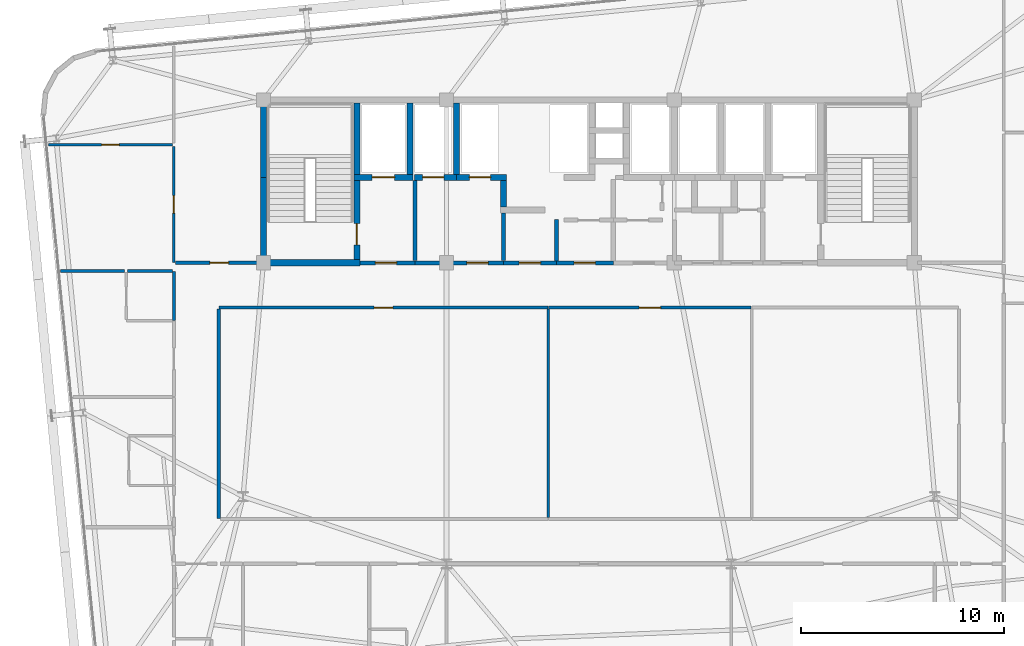
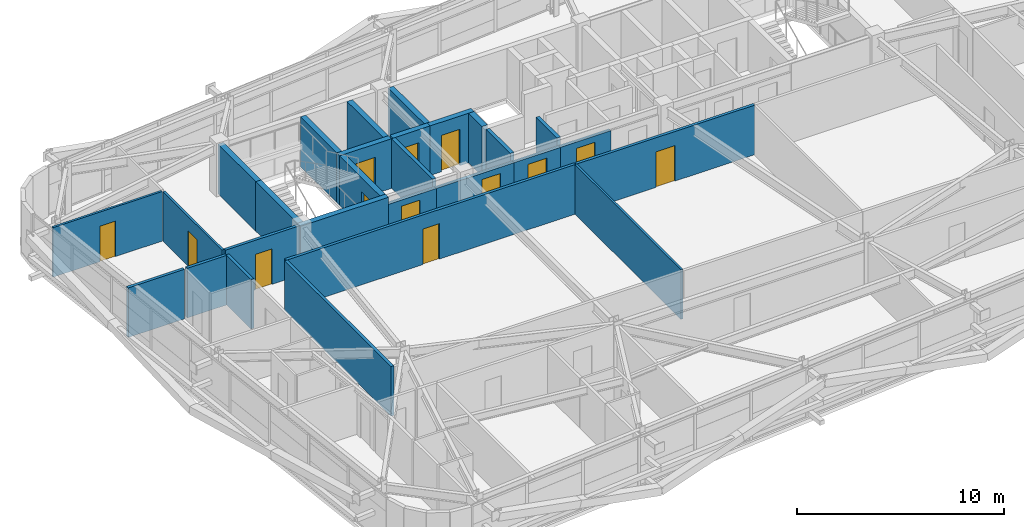
# One storey, part 47 of 53: 28 walls, 13 doors, 13 openings.
"""IFC4 building model written with IfcOpenShell, lengths in metres."""

from ifc_helpers import new_model, si_unit, direction, frame, frame_2d, origin, place, context, subcontext, project, spatial, rectangle, extrude, source, transform, mapped, material, layer, layer_set, type_object, element, fill, save


model = new_model("IFC4")

# Units and contexts
model_context = context("Model", 3, precision=1e-05, world=origin(), true_north=direction((0.0, 1.0)))
body_context = subcontext(model_context, "Body", "Model", "MODEL_VIEW")
ifc_project = project(units=[si_unit("LENGTHUNIT", "METRE"), si_unit("AREAUNIT", "SQUARE_METRE"), si_unit("VOLUMEUNIT", "CUBIC_METRE"), si_unit("PLANEANGLEUNIT", "RADIAN"), si_unit("MASSUNIT", "GRAM", prefix="KILO")], contexts=[model_context])

# Site, building, storey
site_placement = place(None, origin())
site = spatial("IfcSite", under=ifc_project, at=site_placement, CompositionType="ELEMENT")
building_placement = place(site_placement, origin())
building = spatial("IfcBuilding", under=site, at=building_placement, Name="Taldren Reach Tower", CompositionType="ELEMENT")
storey_placement = place(building_placement, frame((0.0, 0.0, 84.0)))
storey = spatial("IfcBuildingStorey", under=building, at=storey_placement, Name="L25", CompositionType="ELEMENT", Elevation=84.0)

# Wall, opening, door
ifc_material_1 = material(Name="Concrete S50 (50 MPa)", Category="concrete")
ifc_layer_1 = layer(ifc_material_1, 0.199951171875)
ifc_layer_set_1 = layer_set([ifc_layer_1], Name="Concrete S50 (50 MPa)")
wall_type_1 = type_object("IfcWallType", Name="IW-CORE-200", PredefinedType="SOLIDWALL", material=ifc_layer_set_1)
shared_shape_1 = source(origin(), body_context, "Body", "SweptSolid", [
    extrude(rectangle(XDim=4.35009765625, YDim=0.199951171875, at=frame_2d((2.175048828125, 0.0))), origin(), (0.0, 0.0, 1.0), 2.469970703125),
])
wall_1_placement = place(storey_placement, frame((30.800048828125, 24.0, 0.0), z_axis=(0.0, 0.0, 1.0), x_axis=(-1.0, 0.0, 0.0)))
wall_1 = element("IfcWall", 1, at=wall_1_placement, inside=storey, type_object=wall_type_1, Name="Rear Core Shear Wall W-INT-L25-034", PredefinedType="SOLIDWALL", context=body_context, shape_type="MappedRepresentation", body=[
    mapped(shared_shape_1, transform((0.0, 0.0, 0.0), scale=1.0)),
])
shared_shape_2 = source(origin(), body_context, "Body", "SweptSolid", [
    extrude(rectangle(XDim=1.050048828125, YDim=2.10009765625, at=frame_2d((0.52490234375, 1.050048828125))), frame((0.0, 0.10986328125, 0.0), z_axis=(0.0, -1.0, 0.0), x_axis=(1.0, 0.0, 0.0)), (0.0, 0.0, 1.0), 0.219970703125),
])
opening_1_placement = place(wall_1_placement, frame((0.75, 0.0, 0.0)))
opening_1 = element("IfcOpeningElement", 2, at=opening_1_placement, cuts=wall_1, Name="Opening DF-105", PredefinedType="OPENING", context=body_context, shape_type="MappedRepresentation", body=[
    mapped(shared_shape_2, transform((0.0, 0.0, 0.0), scale=1.0)),
])
ifc_material_2 = material(Name="Fire-Rated Care and Stair Exit Door")
door_type_1 = type_object("IfcDoorType", Name="ID-FIRE-105", OperationType="NOTDEFINED", PredefinedType="DOOR", material=ifc_material_2)
shared_shape_3 = source(origin(), body_context, "Body", "SweptSolid", [
    extrude(rectangle(XDim=1.050048828125, YDim=2.10009765625, at=frame_2d((0.52490234375, 1.050048828125))), frame((0.0, 0.02490234375, 0.0), z_axis=(0.0, -1.0, 0.0), x_axis=(1.0, 0.0, 0.0)), (0.0, 0.0, 1.0), 0.050048828125),
])
door_1_placement = place(opening_1_placement, frame((1.050048828125, 0.0, 0.0), z_axis=(0.0, 0.0, 1.0), x_axis=(-1.0, 0.0, 0.0)))
door_1 = element("IfcDoor", 3, at=door_1_placement, inside=storey, type_object=door_type_1, Name="Interior Door DR-L25-005", OperationType="SINGLE_SWING_RIGHT", OverallHeight=2.10009765625, OverallWidth=1.050048828125, PredefinedType="DOOR", context=body_context, shape_type="MappedRepresentation", body=[
    mapped(shared_shape_3, transform((0.0, 0.0, 0.0), scale=1.0)),
])
fill(opening_1, door_1)

# Walls
ifc_material_3 = material(Name="Fire-Rated Acoustic Plasterboard Stud Wall", Category="gypsum")
ifc_layer_2 = layer(ifc_material_3, 0.159912109375)
ifc_layer_set_2 = layer_set([ifc_layer_2], Name="Fire-Rated Acoustic Plasterboard Stud Wall")
wall_type_2 = type_object("IfcWallType", Name="IW-FIRE-160", PredefinedType="PARTITIONING", material=ifc_layer_set_2)
shared_shape_4 = source(origin(), body_context, "Body", "SweptSolid", [
    extrude(rectangle(XDim=10.2998046875, YDim=0.159912109375, at=frame_2d((5.14990234375, 0.0))), origin(), (0.0, 0.0, 1.0), 2.929931640625),
])
wall_2_placement = place(storey_placement, frame((16.800048828125, 21.719970703125, 0.0), z_axis=(0.0, 0.0, 1.0), x_axis=(0.0, -1.0, 0.0)))
element("IfcWall", 4, at=wall_2_placement, inside=storey, type_object=wall_type_2, Name="Interior Partition Wall W-INT-L25-061", PredefinedType="PARTITIONING", context=body_context, shape_type="MappedRepresentation", body=[
    mapped(shared_shape_4, transform((0.0, 0.0, 0.0), scale=1.0)),
])
shared_shape_5 = source(origin(), body_context, "Body", "SweptSolid", [
    extrude(rectangle(XDim=2.02001953125, YDim=0.199951171875, at=frame_2d((1.010009765625, 0.0))), origin(), (0.0, 0.0, 1.0), 2.929931640625),
])
wall_3_placement = place(storey_placement, frame((33.39990234375, 26.1201171875, 0.0), z_axis=(0.0, 0.0, 1.0), x_axis=(0.0, -1.0, 0.0)))
element("IfcWall", 5, at=wall_3_placement, inside=storey, type_object=wall_type_1, Name="Rear Core Shear Wall W-INT-L25-044", PredefinedType="SOLIDWALL", context=body_context, shape_type="MappedRepresentation", body=[
    mapped(shared_shape_5, transform((0.0, 0.0, 0.0), scale=1.0)),
])

# Wall, opening, door
shared_shape_6 = source(origin(), body_context, "Body", "SweptSolid", [
    extrude(rectangle(XDim=2.599853515625, YDim=0.199951171875, at=frame_2d((1.2998046875, 0.0))), origin(), (0.0, 0.0, 1.0), 2.469970703125),
])
wall_4_placement = place(storey_placement, frame((33.39990234375, 24.0, 0.0), z_axis=(0.0, 0.0, 1.0), x_axis=(-1.0, 0.0, 0.0)))
wall_4 = element("IfcWall", 6, at=wall_4_placement, inside=storey, type_object=wall_type_1, Name="Rear Core Shear Wall W-INT-L25-045", PredefinedType="SOLIDWALL", context=body_context, shape_type="MappedRepresentation", body=[
    mapped(shared_shape_6, transform((0.0, 0.0, 0.0), scale=1.0)),
])
opening_2_placement = place(wall_4_placement, frame((0.77490234375, 0.0, 0.0)))
opening_2 = element("IfcOpeningElement", 7, at=opening_2_placement, cuts=wall_4, Name="Opening DF-105", PredefinedType="OPENING", context=body_context, shape_type="MappedRepresentation", body=[
    mapped(shared_shape_2, transform((0.0, 0.0, 0.0), scale=1.0)),
])
door_2_placement = place(opening_2_placement, frame((1.050048828125, 0.0, 0.0), z_axis=(0.0, 0.0, 1.0), x_axis=(-1.0, 0.0, 0.0)))
door_2 = element("IfcDoor", 8, at=door_2_placement, inside=storey, type_object=door_type_1, Name="Interior Door DR-L25-006", OperationType="SINGLE_SWING_RIGHT", OverallHeight=2.10009765625, OverallWidth=1.050048828125, PredefinedType="DOOR", context=body_context, shape_type="MappedRepresentation", body=[
    mapped(shared_shape_3, transform((0.0, 0.0, 0.0), scale=1.0)),
])
fill(opening_2, door_2)

shared_shape_7 = source(origin(), body_context, "Body", "SweptSolid", [
    extrude(rectangle(XDim=2.800048828125, YDim=0.199951171875, at=frame_2d((1.39990234375, 0.0))), origin(), (0.0, 0.0, 1.0), 2.469970703125),
])
wall_5_placement = place(storey_placement, frame((36.199951171875, 24.0, 0.0), z_axis=(0.0, 0.0, 1.0), x_axis=(-1.0, 0.0, 0.0)))
wall_5 = element("IfcWall", 9, at=wall_5_placement, inside=storey, type_object=wall_type_1, Name="Rear Core Shear Wall W-INT-L25-048", PredefinedType="SOLIDWALL", context=body_context, shape_type="MappedRepresentation", body=[
    mapped(shared_shape_7, transform((0.0, 0.0, 0.0), scale=1.0)),
])
opening_3_placement = place(wall_5_placement, frame((0.875, 0.0, 0.0)))
opening_3 = element("IfcOpeningElement", 10, at=opening_3_placement, cuts=wall_5, Name="Opening DF-105", PredefinedType="OPENING", context=body_context, shape_type="MappedRepresentation", body=[
    mapped(shared_shape_2, transform((0.0, 0.0, 0.0), scale=1.0)),
])
door_3_placement = place(opening_3_placement, frame((1.050048828125, 0.0, 0.0), z_axis=(0.0, 0.0, 1.0), x_axis=(-1.0, 0.0, 0.0)))
door_3 = element("IfcDoor", 11, at=door_3_placement, inside=storey, type_object=door_type_1, Name="Interior Door DR-L25-008", OperationType="SINGLE_SWING_RIGHT", OverallHeight=2.10009765625, OverallWidth=1.050048828125, PredefinedType="DOOR", context=body_context, shape_type="MappedRepresentation", body=[
    mapped(shared_shape_3, transform((0.0, 0.0, 0.0), scale=1.0)),
])
fill(opening_3, door_3)

shared_shape_8 = source(origin(), body_context, "Body", "SweptSolid", [
    extrude(rectangle(XDim=9.95947265625, YDim=0.159912109375, at=frame_2d((4.979736328125, 0.0))), origin(), (0.0, 0.0, 1.0), 2.929931640625),
])
wall_6_placement = place(storey_placement, frame((42.979736328125, 21.800048828125, 0.0), z_axis=(0.0, 0.0, 1.0), x_axis=(-1.0, 0.0, 0.0)))
wall_6 = element("IfcWall", 12, at=wall_6_placement, inside=storey, type_object=wall_type_2, Name="Interior Partition Wall W-INT-L25-062", PredefinedType="PARTITIONING", context=body_context, shape_type="MappedRepresentation", body=[
    mapped(shared_shape_8, transform((0.0, 0.0, 0.0), scale=1.0)),
])
shared_shape_9 = source(origin(), body_context, "Body", "SweptSolid", [
    extrude(rectangle(XDim=1.050048828125, YDim=2.10009765625, at=frame_2d((0.52490234375, 1.050048828125))), frame((0.0, 0.08984375, 0.0), z_axis=(0.0, -1.0, 0.0), x_axis=(1.0, 0.0, 0.0)), (0.0, 0.0, 1.0), 0.179931640625),
])
opening_4_placement = place(wall_6_placement, frame((4.454833984375, 0.0, 0.0)))
opening_4 = element("IfcOpeningElement", 13, at=opening_4_placement, cuts=wall_6, Name="Opening DF-105", PredefinedType="OPENING", context=body_context, shape_type="MappedRepresentation", body=[
    mapped(shared_shape_9, transform((0.0, 0.0, 0.0), scale=1.0)),
])
door_4_placement = place(opening_4_placement, origin())
door_4 = element("IfcDoor", 14, at=door_4_placement, inside=storey, type_object=door_type_1, Name="Interior Door DR-L25-015", OperationType="SINGLE_SWING_RIGHT", OverallHeight=2.10009765625, OverallWidth=1.050048828125, PredefinedType="DOOR", context=body_context, shape_type="MappedRepresentation", body=[
    mapped(shared_shape_3, transform((0.0, 0.0, 0.0), scale=1.0)),
])
fill(opening_4, door_4)

# Wall
ifc_material_4 = material(Name="Insulated Residential Stud Partition", Category="gypsum")
ifc_layer_3 = layer(ifc_material_4, 0.1201171875)
ifc_layer_set_3 = layer_set([ifc_layer_3], Name="Insulated Residential Stud Partition")
wall_type_3 = type_object("IfcWallType", Name="IW-PART-120", PredefinedType="PARTITIONING", material=ifc_layer_set_3)
shared_shape_10 = source(origin(), body_context, "Body", "SweptSolid", [
    extrude(rectangle(XDim=10.239990234375, YDim=0.1201171875, at=frame_2d((5.1201171875, 0.0))), origin(), (0.0, 0.0, 1.0), 2.929931640625),
])
wall_7_placement = place(storey_placement, frame((33.0, 21.719970703125, 0.0), z_axis=(0.0, 0.0, 1.0), x_axis=(0.0, -1.0, 0.0)))
element("IfcWall", 15, at=wall_7_placement, inside=storey, type_object=wall_type_3, Name="Interior Partition Wall W-INT-L25-086", PredefinedType="PARTITIONING", context=body_context, shape_type="MappedRepresentation", body=[
    mapped(shared_shape_10, transform((0.0, 0.0, 0.0), scale=1.0)),
])

# Wall, opening, door
shared_shape_11 = source(origin(), body_context, "Body", "SweptSolid", [
    extrude(rectangle(XDim=16.159423828125, YDim=0.159912109375, at=frame_2d((8.07958984375, 0.0))), origin(), (0.0, 0.0, 1.0), 2.929931640625),
])
wall_8_placement = place(storey_placement, frame((32.979736328125, 21.800048828125, 0.0), z_axis=(0.0, 0.0, 1.0), x_axis=(-1.0, 0.0, 0.0)))
wall_8 = element("IfcWall", 16, at=wall_8_placement, inside=storey, type_object=wall_type_2, Name="Interior Partition Wall W-INT-L25-060", PredefinedType="PARTITIONING", context=body_context, shape_type="MappedRepresentation", body=[
    mapped(shared_shape_11, transform((0.0, 0.0, 0.0), scale=1.0)),
])
shared_shape_12 = source(origin(), body_context, "Body", "SweptSolid", [
    extrude(rectangle(XDim=0.919921875, YDim=2.10009765625, at=frame_2d((0.4599609375, 1.050048828125))), frame((0.0, 0.08984375, 0.0), z_axis=(0.0, -1.0, 0.0), x_axis=(1.0, 0.0, 0.0)), (0.0, 0.0, 1.0), 0.179931640625),
])
opening_5_placement = place(wall_8_placement, frame((7.619873046875, 0.0, 0.0)))
opening_5 = element("IfcOpeningElement", 17, at=opening_5_placement, cuts=wall_8, Name="Opening DI-092", PredefinedType="OPENING", context=body_context, shape_type="MappedRepresentation", body=[
    mapped(shared_shape_12, transform((0.0, 0.0, 0.0), scale=1.0)),
])
ifc_material_5 = material(Name="Solid-Core Timber Suite Door", Category="wood")
door_type_2 = type_object("IfcDoorType", Name="ID-INT-092", OperationType="NOTDEFINED", PredefinedType="DOOR", material=ifc_material_5)
shared_shape_13 = source(origin(), body_context, "Body", "SweptSolid", [
    extrude(rectangle(XDim=0.919921875, YDim=2.10009765625, at=frame_2d((0.4599609375, 1.050048828125))), frame((0.0, 0.02490234375, 0.0), z_axis=(0.0, -1.0, 0.0), x_axis=(1.0, 0.0, 0.0)), (0.0, 0.0, 1.0), 0.050048828125),
])
door_5_placement = place(opening_5_placement, origin())
door_5 = element("IfcDoor", 18, at=door_5_placement, inside=storey, type_object=door_type_2, Name="Interior Door DR-L25-014", OperationType="SINGLE_SWING_LEFT", OverallHeight=2.10009765625, OverallWidth=0.919921875, PredefinedType="DOOR", context=body_context, shape_type="MappedRepresentation", body=[
    mapped(shared_shape_13, transform((0.0, 0.0, 0.0), scale=1.0)),
])
fill(opening_5, door_5)

# Walls
ifc_material_6 = material(Name="Concrete S65 (65 MPa)", Category="concrete")
ifc_layer_4 = layer(ifc_material_6, 0.300048828125)
ifc_layer_set_4 = layer_set([ifc_layer_4], Name="Concrete S65 (65 MPa)")
wall_type_4 = type_object("IfcWallType", Name="IW-CORE-300", PredefinedType="SHEAR", material=ifc_layer_set_4)
shared_shape_14 = source(origin(), body_context, "Body", "SweptSolid", [
    extrude(rectangle(XDim=4.050048828125, YDim=0.300048828125, at=frame_2d((2.02490234375, 0.0))), origin(), (0.0, 0.0, 1.0), 2.929931640625),
])
wall_9_placement = place(storey_placement, frame((19.0, 24.14990234375, 0.0), z_axis=(0.0, 0.0, 1.0), x_axis=(0.0, 1.0, 0.0)))
element("IfcWall", 19, at=wall_9_placement, inside=storey, type_object=wall_type_4, Name="Rear Core Shear Wall W-CORE-L25-WEST1", PredefinedType="SHEAR", context=body_context, shape_type="MappedRepresentation", body=[
    mapped(shared_shape_14, transform((0.0, 0.0, 0.0), scale=1.0)),
])
shared_shape_15 = source(origin(), body_context, "Body", "SweptSolid", [
    extrude(rectangle(XDim=3.650146484375, YDim=0.300048828125, at=frame_2d((1.8251953125, 0.0))), origin(), (0.0, 0.0, 1.0), 2.929931640625),
])
wall_10_placement = place(storey_placement, frame((19.0, 28.199951171875, 0.0), z_axis=(0.0, 0.0, 1.0), x_axis=(0.0, 1.0, 0.0)))
element("IfcWall", 20, at=wall_10_placement, inside=storey, type_object=wall_type_4, Name="Rear Core Shear Wall W-CORE-L25-WEST2", PredefinedType="SHEAR", context=body_context, shape_type="MappedRepresentation", body=[
    mapped(shared_shape_15, transform((0.0, 0.0, 0.0), scale=1.0)),
])
shared_shape_16 = source(origin(), body_context, "Body", "SweptSolid", [
    extrude(rectangle(XDim=3.5, YDim=0.300048828125, at=frame_2d((1.75, 0.0))), origin(), (0.0, 0.0, 1.0), 2.929931640625),
])
for number, where, z_axis, x_axis, name in (
    (21, (23.60009765625, 28.35009765625, 0.0), (0.0, 0.0, 1.0), (0.0, 1.0, 0.0), "Rear Core Shear Wall W-INT-L25-001"),
    (22, (26.199951171875, 28.35009765625, 0.0), (0.0, 0.0, 1.0), (0.0, 1.0, 0.0), "Rear Core Shear Wall W-INT-L25-005"),
    (23, (28.5, 28.35009765625, 0.0), (0.0, 0.0, 1.0), (0.0, 1.0, 0.0), "Rear Core Shear Wall W-INT-L25-030"),
):
    element("IfcWall", number, at=place(storey_placement, frame(where, z_axis=z_axis, x_axis=x_axis)), inside=storey, type_object=wall_type_4, Name=name, PredefinedType="SHEAR", context=body_context, shape_type="MappedRepresentation", body=[
        mapped(shared_shape_16, transform((0.0, 0.0, 0.0), scale=1.0)),
    ])

# Wall, opening, door
shared_shape_17 = source(origin(), body_context, "Body", "SweptSolid", [
    extrude(rectangle(XDim=3.900146484375, YDim=0.300048828125, at=frame_2d((1.9501953125, 0.0))), origin(), (0.0, 0.0, 1.0), 2.929931640625),
])
wall_11_placement = place(storey_placement, frame((23.60009765625, 24.14990234375, 0.0), z_axis=(0.0, 0.0, 1.0), x_axis=(0.0, 1.0, 0.0)))
wall_11 = element("IfcWall", 24, at=wall_11_placement, inside=storey, type_object=wall_type_4, Name="Rear Core Shear Wall W-INT-L25-002", PredefinedType="SHEAR", context=body_context, shape_type="MappedRepresentation", body=[
    mapped(shared_shape_17, transform((0.0, 0.0, 0.0), scale=1.0)),
])
shared_shape_18 = source(origin(), body_context, "Body", "SweptSolid", [
    extrude(rectangle(XDim=1.050048828125, YDim=2.10009765625, at=frame_2d((0.52490234375, 1.050048828125))), frame((0.0, 0.16015625, 0.0), z_axis=(0.0, -1.0, 0.0), x_axis=(1.0, 0.0, 0.0)), (0.0, 0.0, 1.0), 0.320068359375),
])
opening_6_placement = place(wall_11_placement, frame((0.72509765625, 0.0, 0.0)))
opening_6 = element("IfcOpeningElement", 25, at=opening_6_placement, cuts=wall_11, Name="Opening DF-105", PredefinedType="OPENING", context=body_context, shape_type="MappedRepresentation", body=[
    mapped(shared_shape_18, transform((0.0, 0.0, 0.0), scale=1.0)),
])
door_6_placement = place(opening_6_placement, origin())
door_6 = element("IfcDoor", 26, at=door_6_placement, inside=storey, type_object=door_type_1, Name="Fire Exit Stair Door DR-L25-001", OperationType="SINGLE_SWING_LEFT", OverallHeight=2.10009765625, OverallWidth=1.050048828125, PredefinedType="DOOR", context=body_context, shape_type="MappedRepresentation", body=[
    mapped(shared_shape_3, transform((0.0, 0.0, 0.0), scale=1.0)),
])
fill(opening_6, door_6)

# Wall
shared_shape_19 = source(origin(), body_context, "Body", "SweptSolid", [
    extrude(rectangle(XDim=4.89990234375, YDim=0.300048828125, at=frame_2d((2.449951171875, 0.0))), origin(), (0.0, 0.0, 1.0), 2.929931640625),
])
wall_12_placement = place(storey_placement, frame((18.85009765625, 24.0, 0.0), z_axis=(0.0, 0.0, 1.0), x_axis=(1.0, 0.0, 0.0)))
element("IfcWall", 27, at=wall_12_placement, inside=storey, type_object=wall_type_4, Name="Rear Core Shear Wall W-INT-L25-003", PredefinedType="SHEAR", context=body_context, shape_type="MappedRepresentation", body=[
    mapped(shared_shape_19, transform((0.0, 0.0, 0.0), scale=1.0)),
])

# Wall, opening, door
shared_shape_20 = source(origin(), body_context, "Body", "SweptSolid", [
    extrude(rectangle(XDim=2.900146484375, YDim=0.300048828125, at=frame_2d((1.4501953125, 0.0))), origin(), (0.0, 0.0, 1.0), 2.929931640625),
])
wall_13_placement = place(storey_placement, frame((23.449951171875, 28.199951171875, 0.0), z_axis=(0.0, 0.0, 1.0), x_axis=(1.0, 0.0, 0.0)))
wall_13 = element("IfcWall", 28, at=wall_13_placement, inside=storey, type_object=wall_type_4, Name="Rear Core Shear Wall W-INT-L25-004", PredefinedType="SHEAR", context=body_context, shape_type="MappedRepresentation", body=[
    mapped(shared_shape_20, transform((0.0, 0.0, 0.0), scale=1.0)),
])
shared_shape_21 = source(origin(), body_context, "Body", "SweptSolid", [
    extrude(rectangle(XDim=1.10009765625, YDim=2.14990234375, at=frame_2d((0.550048828125, 1.074951171875))), frame((0.0, 0.16015625, 0.0), z_axis=(0.0, -1.0, 0.0), x_axis=(1.0, 0.0, 0.0)), (0.0, 0.0, 1.0), 0.320068359375),
])
opening_7_placement = place(wall_13_placement, frame((0.89990234375, 0.0, 0.0)))
opening_7 = element("IfcOpeningElement", 29, at=opening_7_placement, cuts=wall_13, Name="Opening LD-FL1", PredefinedType="OPENING", context=body_context, shape_type="MappedRepresentation", body=[
    mapped(shared_shape_21, transform((0.0, 0.0, 0.0), scale=1.0)),
])
ifc_material_7 = material(Name="Stainless Steel Gr 316 Emergency Lift Landing Door", Category="steel")
door_type_3 = type_object("IfcDoorType", Name="LD-EMG-110", OperationType="SLIDING_TO_LEFT", PredefinedType="DOOR", material=ifc_material_7)
shared_shape_22 = source(origin(), body_context, "Body", "SweptSolid", [
    extrude(rectangle(XDim=1.10009765625, YDim=2.14990234375, at=frame_2d((0.550048828125, 1.074951171875))), frame((0.0, 0.02490234375, 0.0), z_axis=(0.0, -1.0, 0.0), x_axis=(1.0, 0.0, 0.0)), (0.0, 0.0, 1.0), 0.050048828125),
])
door_7_placement = place(opening_7_placement, origin())
door_7 = element("IfcDoor", 30, at=door_7_placement, inside=storey, type_object=door_type_3, Name="Lift Landing Door LD-FL1-L25", OperationType="SLIDING_TO_LEFT", OverallHeight=2.14990234375, OverallWidth=1.10009765625, PredefinedType="DOOR", context=body_context, shape_type="MappedRepresentation", body=[
    mapped(shared_shape_22, transform((0.0, 0.0, 0.0), scale=1.0)),
])
fill(opening_7, door_7)

# Wall
shared_shape_23 = source(origin(), body_context, "Body", "SweptSolid", [
    extrude(rectangle(XDim=3.949951171875, YDim=0.199951171875, at=frame_2d((1.97509765625, 0.0))), origin(), (0.0, 0.0, 1.0), 2.929931640625),
])
wall_14_placement = place(storey_placement, frame((26.449951171875, 24.10009765625, 0.0), z_axis=(0.0, 0.0, 1.0), x_axis=(0.0, 1.0, 0.0)))
element("IfcWall", 31, at=wall_14_placement, inside=storey, type_object=wall_type_1, Name="Rear Core Shear Wall W-INT-L25-006", PredefinedType="SOLIDWALL", context=body_context, shape_type="MappedRepresentation", body=[
    mapped(shared_shape_23, transform((0.0, 0.0, 0.0), scale=1.0)),
])

# Wall, opening, door
shared_shape_24 = source(origin(), body_context, "Body", "SweptSolid", [
    extrude(rectangle(XDim=2.699951171875, YDim=0.199951171875, at=frame_2d((1.35009765625, 0.0))), origin(), (0.0, 0.0, 1.0), 2.469970703125),
])
wall_15_placement = place(storey_placement, frame((23.75, 24.0, 0.0), z_axis=(0.0, 0.0, 1.0), x_axis=(1.0, 0.0, 0.0)))
wall_15 = element("IfcWall", 32, at=wall_15_placement, inside=storey, type_object=wall_type_1, Name="Rear Core Shear Wall W-INT-L25-007", PredefinedType="SOLIDWALL", context=body_context, shape_type="MappedRepresentation", body=[
    mapped(shared_shape_24, transform((0.0, 0.0, 0.0), scale=1.0)),
])
opening_8_placement = place(wall_15_placement, frame((0.75, 0.0, 0.0)))
opening_8 = element("IfcOpeningElement", 33, at=opening_8_placement, cuts=wall_15, Name="Opening DF-105", PredefinedType="OPENING", context=body_context, shape_type="MappedRepresentation", body=[
    mapped(shared_shape_2, transform((0.0, 0.0, 0.0), scale=1.0)),
])
door_8_placement = place(opening_8_placement, origin())
door_8 = element("IfcDoor", 34, at=door_8_placement, inside=storey, type_object=door_type_1, Name="Interior Door DR-L25-002", OperationType="SINGLE_SWING_LEFT", OverallHeight=2.10009765625, OverallWidth=1.050048828125, PredefinedType="DOOR", context=body_context, shape_type="MappedRepresentation", body=[
    mapped(shared_shape_3, transform((0.0, 0.0, 0.0), scale=1.0)),
])
fill(opening_8, door_8)

# Wall
shared_shape_25 = source(origin(), body_context, "Body", "SweptSolid", [
    extrude(rectangle(XDim=1.300048828125, YDim=0.300048828125, at=frame_2d((0.64990234375, 0.0))), origin(), (0.0, 0.0, 1.0), 2.929931640625),
])
wall_16_placement = place(storey_placement, frame((30.800048828125, 28.050048828125, 0.0), z_axis=(0.0, 0.0, 1.0), x_axis=(0.0, -1.0, 0.0)))
element("IfcWall", 35, at=wall_16_placement, inside=storey, type_object=wall_type_4, Name="Rear Core Shear Wall W-INT-L25-022", PredefinedType="SHEAR", context=body_context, shape_type="MappedRepresentation", body=[
    mapped(shared_shape_25, transform((0.0, 0.0, 0.0), scale=1.0)),
])

# Wall, opening, door
shared_shape_26 = source(origin(), body_context, "Body", "SweptSolid", [
    extrude(rectangle(XDim=2.070068359375, YDim=0.300048828125, at=frame_2d((1.03515625, 0.0))), origin(), (0.0, 0.0, 1.0), 2.929931640625),
])
wall_17_placement = place(storey_placement, frame((26.429931640625, 28.199951171875, 0.0), z_axis=(0.0, 0.0, 1.0), x_axis=(1.0, 0.0, 0.0)))
wall_17 = element("IfcWall", 36, at=wall_17_placement, inside=storey, type_object=wall_type_4, Name="Rear Core Shear Wall W-INT-L25-031", PredefinedType="SHEAR", context=body_context, shape_type="MappedRepresentation", body=[
    mapped(shared_shape_26, transform((0.0, 0.0, 0.0), scale=1.0)),
])
shared_shape_27 = source(origin(), body_context, "Body", "SweptSolid", [
    extrude(rectangle(XDim=1.050048828125, YDim=2.14990234375, at=frame_2d((0.52490234375, 1.074951171875))), frame((0.0, 0.16015625, 0.0), z_axis=(0.0, -1.0, 0.0), x_axis=(1.0, 0.0, 0.0)), (0.0, 0.0, 1.0), 0.320068359375),
])
opening_9_placement = place(wall_17_placement, frame((0.39501953125, 0.0, 0.0)))
opening_9 = element("IfcOpeningElement", 37, at=opening_9_placement, cuts=wall_17, Name="Opening LD-PL1", PredefinedType="OPENING", context=body_context, shape_type="MappedRepresentation", body=[
    mapped(shared_shape_27, transform((0.0, 0.0, 0.0), scale=1.0)),
])
ifc_material_8 = material(Name="Stainless Steel Gr 316 Passenger Lift Landing Door", Category="steel")
door_type_4 = type_object("IfcDoorType", Name="LD-PAS-105", OperationType="SLIDING_TO_LEFT", PredefinedType="DOOR", material=ifc_material_8)
shared_shape_28 = source(origin(), body_context, "Body", "SweptSolid", [
    extrude(rectangle(XDim=1.050048828125, YDim=2.14990234375, at=frame_2d((0.52490234375, 1.074951171875))), frame((0.0, 0.02490234375, 0.0), z_axis=(0.0, -1.0, 0.0), x_axis=(1.0, 0.0, 0.0)), (0.0, 0.0, 1.0), 0.050048828125),
])
door_9_placement = place(opening_9_placement, origin())
door_9 = element("IfcDoor", 38, at=door_9_placement, inside=storey, type_object=door_type_4, Name="Lift Landing Door LD-PL1-L25", OperationType="SLIDING_TO_LEFT", OverallHeight=2.14990234375, OverallWidth=1.050048828125, PredefinedType="DOOR", context=body_context, shape_type="MappedRepresentation", body=[
    mapped(shared_shape_28, transform((0.0, 0.0, 0.0), scale=1.0)),
])
fill(opening_9, door_9)

shared_shape_29 = source(origin(), body_context, "Body", "SweptSolid", [
    extrude(rectangle(XDim=2.449951171875, YDim=0.300048828125, at=frame_2d((1.22509765625, 0.0))), origin(), (0.0, 0.0, 1.0), 2.929931640625),
])
wall_18_placement = place(storey_placement, frame((28.5, 28.199951171875, 0.0), z_axis=(0.0, 0.0, 1.0), x_axis=(1.0, 0.0, 0.0)))
wall_18 = element("IfcWall", 39, at=wall_18_placement, inside=storey, type_object=wall_type_4, Name="Rear Core Shear Wall W-INT-L25-032", PredefinedType="SHEAR", context=body_context, shape_type="MappedRepresentation", body=[
    mapped(shared_shape_29, transform((0.0, 0.0, 0.0), scale=1.0)),
])
opening_10_placement = place(wall_18_placement, frame((0.625, 0.0, 0.0)))
opening_10 = element("IfcOpeningElement", 40, at=opening_10_placement, cuts=wall_18, Name="Opening LD-PL2", PredefinedType="OPENING", context=body_context, shape_type="MappedRepresentation", body=[
    mapped(shared_shape_27, transform((0.0, 0.0, 0.0), scale=1.0)),
])
door_10_placement = place(opening_10_placement, origin())
door_10 = element("IfcDoor", 41, at=door_10_placement, inside=storey, type_object=door_type_4, Name="Lift Landing Door LD-PL2-L25", OperationType="SLIDING_TO_LEFT", OverallHeight=2.14990234375, OverallWidth=1.050048828125, PredefinedType="DOOR", context=body_context, shape_type="MappedRepresentation", body=[
    mapped(shared_shape_28, transform((0.0, 0.0, 0.0), scale=1.0)),
])
fill(opening_10, door_10)

# Walls
shared_shape_30 = source(origin(), body_context, "Body", "SweptSolid", [
    extrude(rectangle(XDim=2.349853515625, YDim=0.199951171875, at=frame_2d((1.1748046875, 0.0))), origin(), (0.0, 0.0, 1.0), 2.929931640625),
])
wall_19_placement = place(storey_placement, frame((30.800048828125, 26.449951171875, 0.0), z_axis=(0.0, 0.0, 1.0), x_axis=(0.0, -1.0, 0.0)))
element("IfcWall", 42, at=wall_19_placement, inside=storey, type_object=wall_type_1, Name="Rear Core Shear Wall W-INT-L25-033", PredefinedType="SOLIDWALL", context=body_context, shape_type="MappedRepresentation", body=[
    mapped(shared_shape_30, transform((0.0, 0.0, 0.0), scale=1.0)),
])
shared_shape_31 = source(origin(), body_context, "Body", "SweptSolid", [
    extrude(rectangle(XDim=2.409423828125, YDim=0.159912109375, at=frame_2d((1.20458984375, 0.0))), origin(), (0.0, 0.0, 1.0), 2.929931640625),
])
wall_20_placement = place(storey_placement, frame((14.60009765625, 21.170166015625, 0.0), z_axis=(0.0, 0.0, 1.0), x_axis=(0.0, 1.0, 0.0)))
element("IfcWall", 43, at=wall_20_placement, inside=storey, type_object=wall_type_2, Name="Interior Partition Wall W-INT-L25-072", PredefinedType="PARTITIONING", context=body_context, shape_type="MappedRepresentation", body=[
    mapped(shared_shape_31, transform((0.0, 0.0, 0.0), scale=1.0)),
])

# Wall, opening, door
shared_shape_32 = source(origin(), body_context, "Body", "SweptSolid", [
    extrude(rectangle(XDim=4.170166015625, YDim=0.159912109375, at=frame_2d((2.0849609375, 0.0))), origin(), (0.0, 0.0, 1.0), 2.929931640625),
])
wall_21_placement = place(storey_placement, frame((14.679931640625, 24.0, 0.0), z_axis=(0.0, 0.0, 1.0), x_axis=(1.0, 0.0, 0.0)))
wall_21 = element("IfcWall", 44, at=wall_21_placement, inside=storey, type_object=wall_type_2, Name="Interior Partition Wall W-INT-L25-075", PredefinedType="PARTITIONING", context=body_context, shape_type="MappedRepresentation", body=[
    mapped(shared_shape_32, transform((0.0, 0.0, 0.0), scale=1.0)),
])
opening_11_placement = place(wall_21_placement, frame((1.68994140625, 0.0, 0.0)))
opening_11 = element("IfcOpeningElement", 45, at=opening_11_placement, cuts=wall_21, Name="Opening DI-092", PredefinedType="OPENING", context=body_context, shape_type="MappedRepresentation", body=[
    mapped(shared_shape_12, transform((0.0, 0.0, 0.0), scale=1.0)),
])
door_11_placement = place(opening_11_placement, origin())
door_11 = element("IfcDoor", 46, at=door_11_placement, inside=storey, type_object=door_type_2, Name="Interior Door DR-L25-024", OperationType="SINGLE_SWING_LEFT", OverallHeight=2.10009765625, OverallWidth=0.919921875, PredefinedType="DOOR", context=body_context, shape_type="MappedRepresentation", body=[
    mapped(shared_shape_13, transform((0.0, 0.0, 0.0), scale=1.0)),
])
fill(opening_11, door_11)

# Walls
shared_shape_33 = source(origin(), body_context, "Body", "SweptSolid", [
    extrude(rectangle(XDim=2.18798828125, YDim=0.159912109375, at=frame_2d((1.093994140625, 0.0))), origin(), (0.0, 0.0, 1.0), 2.929931640625),
])
wall_22_placement = place(storey_placement, frame((12.330078125, 23.60009765625, 0.0), z_axis=(0.0, 0.0, 1.0), x_axis=(1.0, 0.0, 0.0)))
element("IfcWall", 47, at=wall_22_placement, inside=storey, type_object=wall_type_2, Name="Interior Partition Wall W-INT-L25-116", PredefinedType="PARTITIONING", context=body_context, shape_type="MappedRepresentation", body=[
    mapped(shared_shape_33, transform((0.0, 0.0, 0.0), scale=1.0)),
])
shared_shape_34 = source(origin(), body_context, "Body", "SweptSolid", [
    extrude(rectangle(XDim=3.135009765625, YDim=0.159912109375, at=frame_2d((1.5673828125, 0.0))), origin(), (0.0, 0.0, 1.0), 2.929931640625),
])
wall_23_placement = place(storey_placement, frame((9.034912109375, 23.60009765625, 0.0), z_axis=(0.0, 0.0, 1.0), x_axis=(1.0, 0.0, 0.0)))
element("IfcWall", 48, at=wall_23_placement, inside=storey, type_object=wall_type_2, Name="Interior Partition Wall W-INT-L25-115", PredefinedType="PARTITIONING", context=body_context, shape_type="MappedRepresentation", body=[
    mapped(shared_shape_34, transform((0.0, 0.0, 0.0), scale=1.0)),
])

# Wall, opening, door
shared_shape_35 = source(origin(), body_context, "Body", "SweptSolid", [
    extrude(rectangle(XDim=6.094970703125, YDim=0.1201171875, at=frame_2d((3.04736328125, 0.0))), origin(), (0.0, 0.0, 1.0), 2.929931640625),
])
wall_24_placement = place(storey_placement, frame((8.425048828125, 29.800048828125, 0.0), z_axis=(0.0, 0.0, 1.0), x_axis=(1.0, 0.0, 0.0)))
wall_24 = element("IfcWall", 49, at=wall_24_placement, inside=storey, type_object=wall_type_3, Name="Interior Partition Wall W-INT-L25-117", PredefinedType="PARTITIONING", context=body_context, shape_type="MappedRepresentation", body=[
    mapped(shared_shape_35, transform((0.0, 0.0, 0.0), scale=1.0)),
])
shared_shape_36 = source(origin(), body_context, "Body", "SweptSolid", [
    extrude(rectangle(XDim=0.860107421875, YDim=2.10009765625, at=frame_2d((0.43017578125, 1.050048828125))), frame((0.0, 0.070068359375, 0.0), z_axis=(0.0, -1.0, 0.0), x_axis=(1.0, 0.0, 0.0)), (0.0, 0.0, 1.0), 0.14013671875),
])
opening_12_placement = place(wall_24_placement, frame((2.617431640625, 0.0, 0.0)))
opening_12 = element("IfcOpeningElement", 50, at=opening_12_placement, cuts=wall_24, Name="Opening DI-086", PredefinedType="OPENING", context=body_context, shape_type="MappedRepresentation", body=[
    mapped(shared_shape_36, transform((0.0, 0.0, 0.0), scale=1.0)),
])
ifc_material_9 = material(Name="Timber Bathroom Door", Category="wood")
door_type_5 = type_object("IfcDoorType", Name="ID-INT-086", OperationType="NOTDEFINED", PredefinedType="DOOR", material=ifc_material_9)
shared_shape_37 = source(origin(), body_context, "Body", "SweptSolid", [
    extrude(rectangle(XDim=0.860107421875, YDim=2.10009765625, at=frame_2d((0.43017578125, 1.050048828125))), frame((0.0, 0.02490234375, 0.0), z_axis=(0.0, -1.0, 0.0), x_axis=(1.0, 0.0, 0.0)), (0.0, 0.0, 1.0), 0.050048828125),
])
door_12_placement = place(opening_12_placement, origin())
door_12 = element("IfcDoor", 51, at=door_12_placement, inside=storey, type_object=door_type_5, Name="Interior Door DR-L25-036", OperationType="SINGLE_SWING_LEFT", OverallHeight=2.10009765625, OverallWidth=0.860107421875, PredefinedType="DOOR", context=body_context, shape_type="MappedRepresentation", body=[
    mapped(shared_shape_37, transform((0.0, 0.0, 0.0), scale=1.0)),
])
fill(opening_12, door_12)

shared_shape_38 = source(origin(), body_context, "Body", "SweptSolid", [
    extrude(rectangle(XDim=5.69970703125, YDim=0.1201171875, at=frame_2d((2.849853515625, 0.0))), origin(), (0.0, 0.0, 1.0), 2.929931640625),
])
wall_25_placement = place(storey_placement, frame((14.60009765625, 29.719970703125, 0.0), z_axis=(0.0, 0.0, 1.0), x_axis=(0.0, -1.0, 0.0)))
wall_25 = element("IfcWall", 52, at=wall_25_placement, inside=storey, type_object=wall_type_3, Name="Interior Partition Wall W-INT-L25-118", PredefinedType="PARTITIONING", context=body_context, shape_type="MappedRepresentation", body=[
    mapped(shared_shape_38, transform((0.0, 0.0, 0.0), scale=1.0)),
])
opening_13_placement = place(wall_25_placement, frame((2.419921875, 0.0, 0.0)))
opening_13 = element("IfcOpeningElement", 53, at=opening_13_placement, cuts=wall_25, Name="Opening DI-086", PredefinedType="OPENING", context=body_context, shape_type="MappedRepresentation", body=[
    mapped(shared_shape_36, transform((0.0, 0.0, 0.0), scale=1.0)),
])
door_13_placement = place(opening_13_placement, frame((0.860107421875, 0.0, 0.0), z_axis=(0.0, 0.0, 1.0), x_axis=(-1.0, 0.0, 0.0)))
door_13 = element("IfcDoor", 54, at=door_13_placement, inside=storey, type_object=door_type_5, Name="Interior Door DR-L25-035", OperationType="SINGLE_SWING_LEFT", OverallHeight=2.10009765625, OverallWidth=0.860107421875, PredefinedType="DOOR", context=body_context, shape_type="MappedRepresentation", body=[
    mapped(shared_shape_37, transform((0.0, 0.0, 0.0), scale=1.0)),
])
fill(opening_13, door_13)

save(model, "model.ifc")
